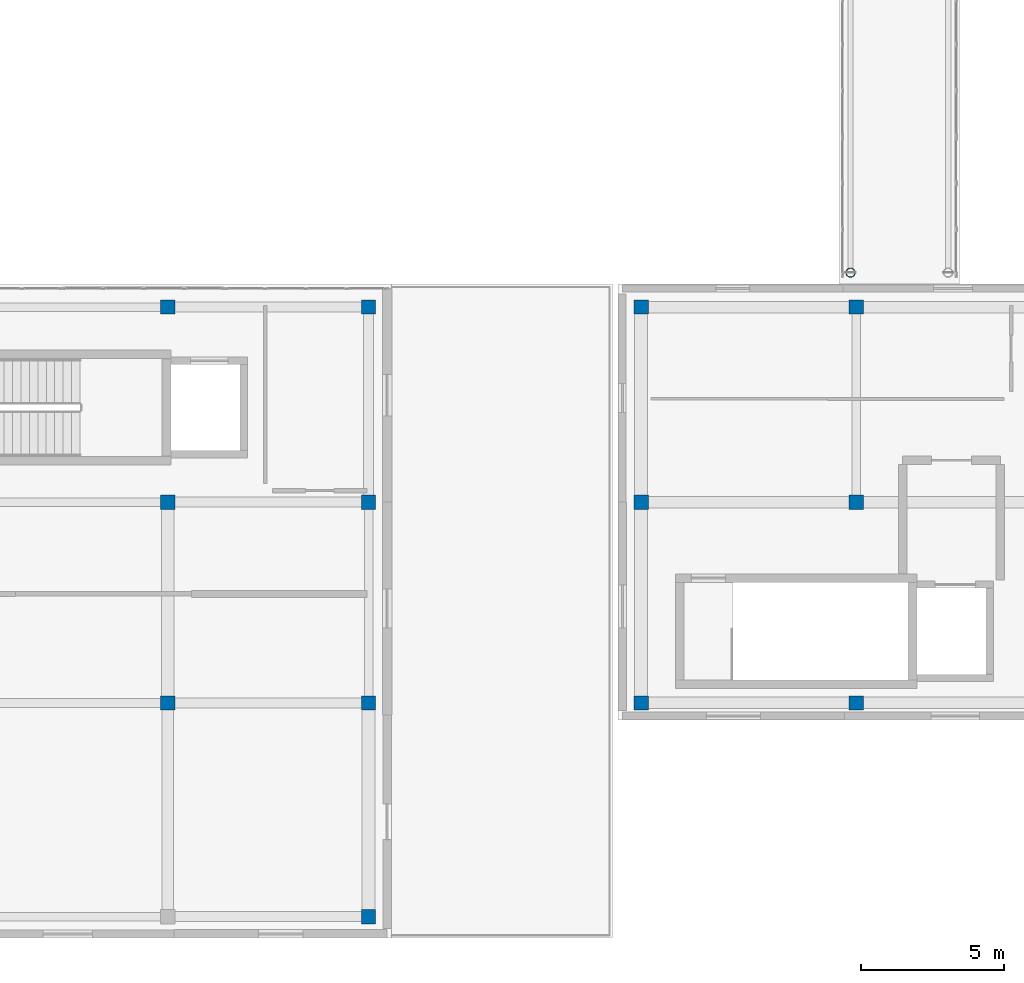
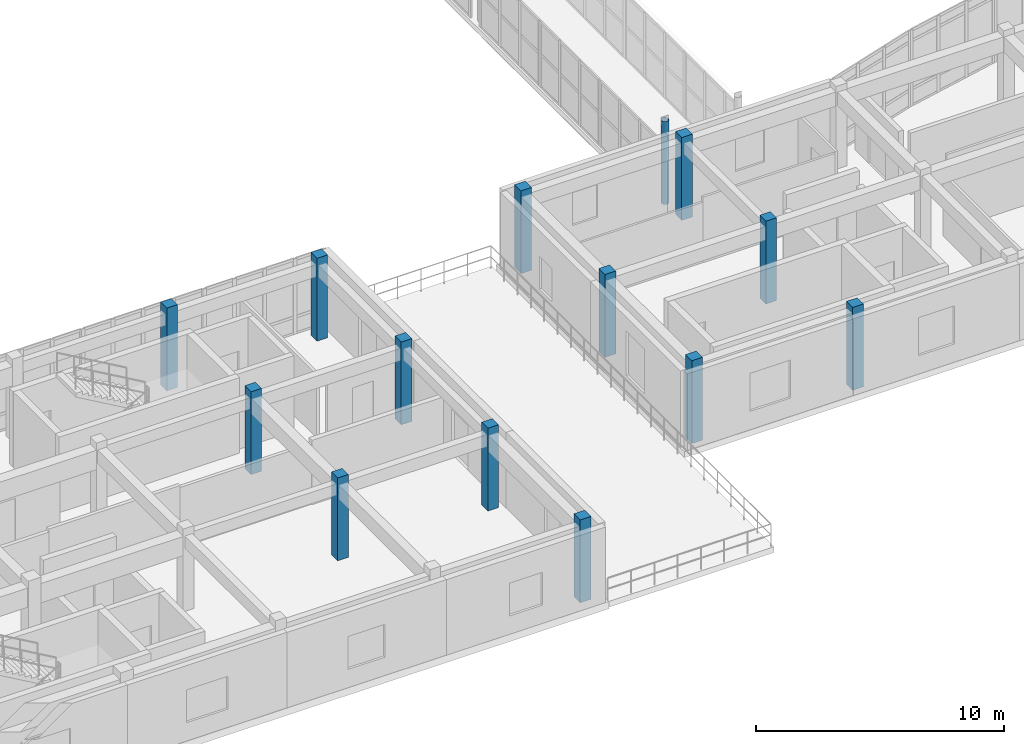
# One storey, part 2 of 52: 14 columns.
"""IFC4 building model written with IfcOpenShell, lengths in metres."""

from ifc_helpers import new_model, si_unit, direction, frame, origin, origin_2d, place, context, subcontext, project, spatial, rectangle, hollow_circle, extrude, material, material_profile, profile_set, type_object, element, save


model = new_model("IFC4")

# Units and contexts
model_context = context("Model", 3, precision=1e-05, world=origin(), true_north=direction((0.0, 1.0)))
body_context = subcontext(model_context, "Body", "Model", "MODEL_VIEW")
ifc_project = project(units=[si_unit("LENGTHUNIT", "METRE"), si_unit("AREAUNIT", "SQUARE_METRE"), si_unit("VOLUMEUNIT", "CUBIC_METRE"), si_unit("PLANEANGLEUNIT", "RADIAN"), si_unit("MASSUNIT", "GRAM", prefix="KILO")], contexts=[model_context])

# Site, building, storey
site_placement = place(None, origin())
site = spatial("IfcSite", under=ifc_project, at=site_placement, CompositionType="ELEMENT")
building_placement = place(site_placement, origin())
building = spatial("IfcBuilding", under=site, at=building_placement, Name="Valcora Specialist Clinic", CompositionType="ELEMENT")
storey_placement = place(building_placement, frame((0.0, 0.0, 17.679931640625)))
storey = spatial("IfcBuildingStorey", under=building, at=storey_placement, Name="L04", CompositionType="ELEMENT", Elevation=17.679931640625)

# Columns
ifc_material_1 = material(Name="Steel ASTM A500 Grade C", Category="steel")
ifc_material_profile_1 = material_profile(ifc_material_1, hollow_circle(Radius=0.162109375, WallThickness=0.011962890625, at=origin_2d()), Name="ST-CHS-324X12")
ifc_profile_set_1 = profile_set([ifc_material_profile_1], Name="Steel ASTM A500 Grade C")
column_type_1 = type_object("IfcColumnType", Name="TY-COL-CHS324", PredefinedType="COLUMN", material=ifc_profile_set_1)
column_placement = place(storey_placement, frame((61.60009765625, 23.199951171875, 0.0), z_axis=(0.0, 0.0, 1.0), x_axis=(1.0, 0.0, 0.0)))
element("IfcColumn", 1, at=column_placement, inside=storey, type_object=column_type_1, Name="Column COL-L04-0964", PredefinedType="COLUMN", context=body_context, shape_type="SweptSolid", body=[
    extrude(hollow_circle(Radius=0.162109375, WallThickness=0.011962890625, at=origin_2d()), origin(), (0.0, 0.0, 1.0), 4.080078125),
])
ifc_material_2 = material(Name="Concrete C40/50", Category="concrete")
ifc_material_profile_2 = material_profile(ifc_material_2, rectangle(XDim=0.5, YDim=0.5, at=origin_2d()), Name="RC-COL-500X500")
ifc_profile_set_2 = profile_set([ifc_material_profile_2], Name="Concrete C40/50")
column_type_2 = type_object("IfcColumnType", Name="TY-COL-RC500", PredefinedType="COLUMN", material=ifc_profile_set_2)
for number, where, z_axis, x_axis, name in (
    (2, (37.800048828125, 8.199951171875, 0.0), (0.0, 0.0, 1.0), (1.0, 0.0, 0.0), "Column COL-L04-0674"),
    (3, (37.800048828125, 15.199951171875, 0.0), (0.0, 0.0, 1.0), (1.0, 0.0, 0.0), "Column COL-L04-0681"),
    (4, (37.800048828125, 22.0, 0.0), (0.0, 0.0, 1.0), (1.0, 0.0, 0.0), "Column COL-L04-0688"),
    (5, (44.800048828125, 0.75, 0.0), (0.0, 0.0, 1.0), (1.0, 0.0, 0.0), "Column COL-L04-0695"),
    (6, (44.800048828125, 8.199951171875, 0.0), (0.0, 0.0, 1.0), (1.0, 0.0, 0.0), "Column COL-L04-0702"),
    (7, (44.800048828125, 15.199951171875, 0.0), (0.0, 0.0, 1.0), (1.0, 0.0, 0.0), "Column COL-L04-0709"),
    (8, (44.800048828125, 22.0, 0.0), (0.0, 0.0, 1.0), (1.0, 0.0, 0.0), "Column COL-L04-0716"),
    (9, (54.300048828125, 8.199951171875, 0.0), (0.0, 0.0, 1.0), (1.0, 0.0, 0.0), "Column COL-L04-0748"),
    (10, (54.300048828125, 15.199951171875, 0.0), (0.0, 0.0, 1.0), (1.0, 0.0, 0.0), "Column COL-L04-0754"),
    (11, (54.300048828125, 22.0, 0.0), (0.0, 0.0, 1.0), (1.0, 0.0, 0.0), "Column COL-L04-0760"),
    (12, (61.800048828125, 8.199951171875, 0.0), (0.0, 0.0, 1.0), (1.0, 0.0, 0.0), "Column COL-L04-0771"),
    (13, (61.800048828125, 15.199951171875, 0.0), (0.0, 0.0, 1.0), (1.0, 0.0, 0.0), "Column COL-L04-0777"),
    (14, (61.800048828125, 22.0, 0.0), (0.0, 0.0, 1.0), (1.0, 0.0, 0.0), "Column COL-L04-0783"),
):
    element("IfcColumn", number, at=place(storey_placement, frame(where, z_axis=z_axis, x_axis=x_axis)), inside=storey, type_object=column_type_2, Name=name, PredefinedType="COLUMN", context=body_context, shape_type="SweptSolid", body=[
        extrude(rectangle(XDim=0.5, YDim=0.5, at=origin_2d()), origin(), (0.0, 0.0, 1.0), 4.080078125),
    ])

save(model, "model.ifc")
